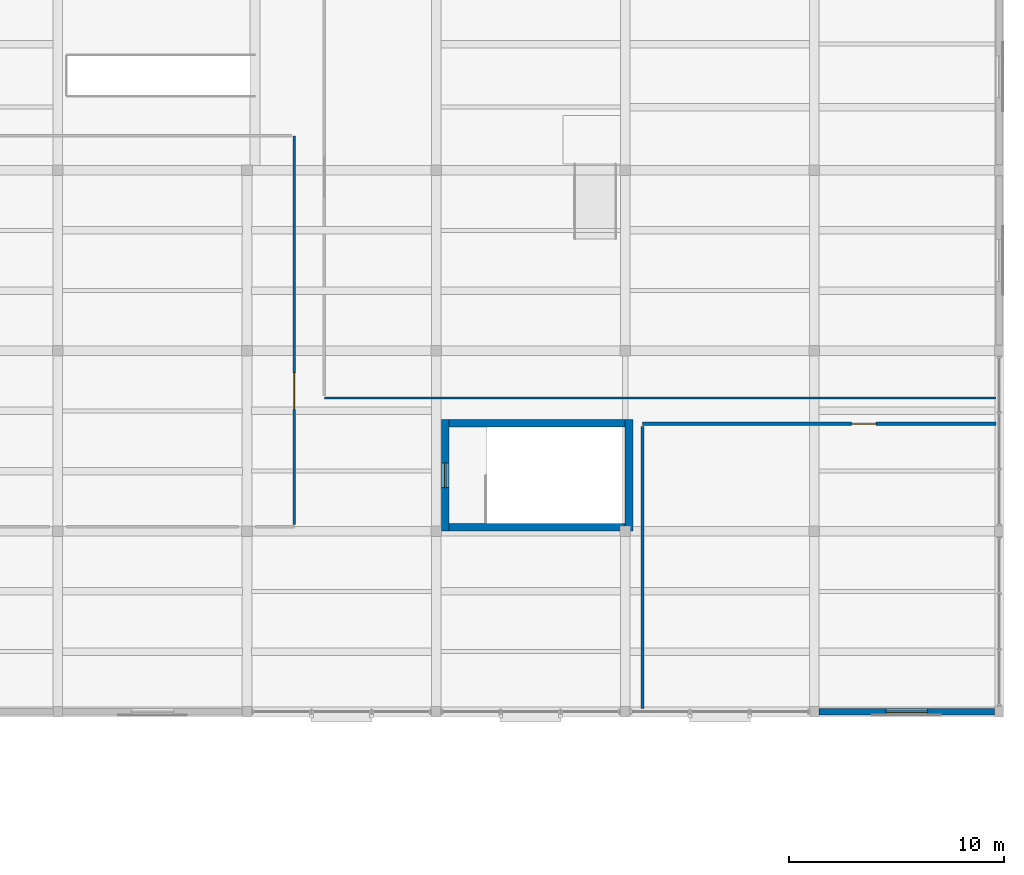
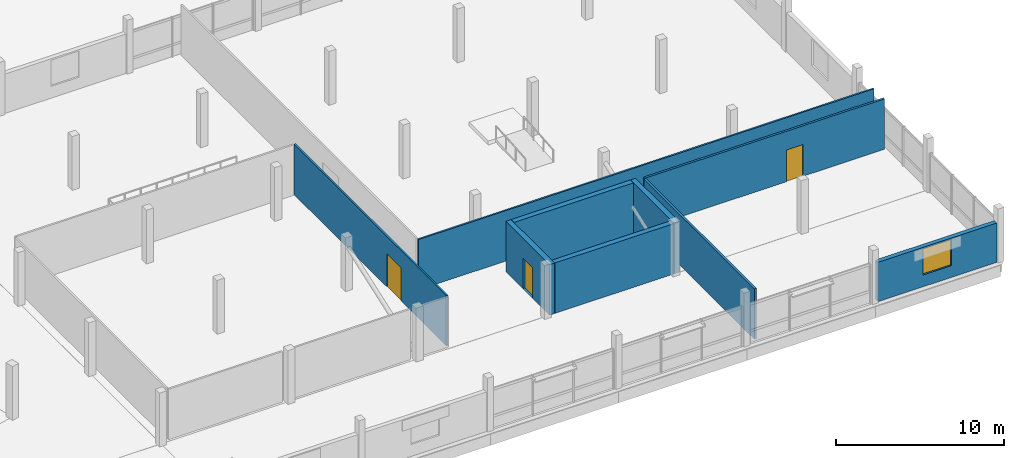
# One storey, part 53 of 62: 9 walls, 3 doors, 1 window, 4 openings.
"""IFC4 building model written with IfcOpenShell, lengths in metres."""

from ifc_helpers import new_model, si_unit, direction, frame, frame_2d, origin, place, context, subcontext, project, spatial, rectangle, extrude, material, layer, layer_set, type_object, element, fill, save


model = new_model("IFC4")

# Units and contexts
model_context = context("Model", 3, precision=1e-05, world=origin(), true_north=direction((0.0, 1.0)))
body_context = subcontext(model_context, "Body", "Model", "MODEL_VIEW")
ifc_project = project(units=[si_unit("LENGTHUNIT", "METRE"), si_unit("AREAUNIT", "SQUARE_METRE"), si_unit("VOLUMEUNIT", "CUBIC_METRE"), si_unit("PLANEANGLEUNIT", "RADIAN"), si_unit("MASSUNIT", "GRAM", prefix="KILO")], contexts=[model_context])

# Site, building, storey
site_placement = place(None, origin())
site = spatial("IfcSite", under=ifc_project, at=site_placement, CompositionType="ELEMENT")
building_placement = place(site_placement, origin())
building = spatial("IfcBuilding", under=site, at=building_placement, Name="Meriwether Solvik Hall", CompositionType="ELEMENT")
storey_placement = place(building_placement, frame((0.0, 0.0, 14.39990234375)))
storey = spatial("IfcBuildingStorey", under=building, at=storey_placement, Name="L03", CompositionType="ELEMENT", Elevation=14.39990234375)

# Wall, opening, window
ifc_material_1 = material(Name="Cross-Laminated Timber and Mineral-Wool Insulation", Category="wood")
ifc_layer_1 = layer(ifc_material_1, 0.2900390625)
ifc_layer_set_1 = layer_set([ifc_layer_1], Name="Cross-Laminated Timber and Mineral-Wool Insulation")
wall_type_1 = type_object("IfcWallType", Name="WALL-EXT-290", PredefinedType="SOLIDWALL", material=ifc_layer_set_1)
wall_1_placement = place(storey_placement, frame((166.577880859375, 50.0, 0.0), z_axis=(0.0, 0.0, 1.0), x_axis=(-1.0, 0.0, 0.0)))
wall_1 = element("IfcWall", 1, at=wall_1_placement, inside=storey, type_object=wall_type_1, Name="L03 S Wing Facade Wall XF_18_11", PredefinedType="SOLIDWALL", context=body_context, shape_type="SweptSolid", body=[
    extrude(rectangle(XDim=8.15576171875, YDim=0.2900390625, at=frame_2d((4.077880859375, 0.0))), origin(), (0.0, 0.0, 1.0), 2.85498046875),
])
opening_1_placement = place(wall_1_placement, frame((3.10302734375, 0.0, 0.85009765625)))
opening_1 = element("IfcOpeningElement", 2, at=opening_1_placement, cuts=wall_1, Name="Opening WN-158", PredefinedType="OPENING", context=body_context, shape_type="SweptSolid", body=[
    extrude(rectangle(XDim=1.949951171875, YDim=1.89990234375, at=frame_2d((0.97509765625, 0.949951171875))), frame((0.0, 0.156982421875, 0.0), z_axis=(0.0, -1.0, 0.0), x_axis=(1.0, 0.0, 0.0)), (0.0, 0.0, 1.0), 0.31396484375),
])
ifc_material_2 = material(Name="Thermally Broken Anodised Aluminium and Triple Low-E Glass", Category="aluminium")
window_type = type_object("IfcWindowType", Name="WIN-TW-LOW-195X190", PartitioningType="SINGLE_PANEL", PredefinedType="WINDOW", material=ifc_material_2)
window_placement = place(opening_1_placement, origin())
window = element("IfcWindow", 3, at=window_placement, inside=storey, type_object=window_type, Name="L03 S Window XF_18_11", OverallHeight=1.89990234375, OverallWidth=1.949951171875, PartitioningType="SINGLE_PANEL", PredefinedType="WINDOW", context=body_context, shape_type="SweptSolid", body=[
    extrude(rectangle(XDim=1.949951171875, YDim=1.89990234375, at=frame_2d((0.97509765625, 0.949951171875))), frame((0.0, 0.030029296875, 0.0), z_axis=(0.0, -1.0, 0.0), x_axis=(1.0, 0.0, 0.0)), (0.0, 0.0, 1.0), 0.06005859375),
])
fill(opening_1, window)

# Wall
ifc_material_3 = material(Name="Tempered Laminated Glass in Anodised Aluminium Frame", Category="aluminium")
ifc_layer_2 = layer(ifc_material_3, 0.112060546875)
ifc_layer_set_2 = layer_set([ifc_layer_2], Name="Tempered Laminated Glass in Anodised Aluminium Frame")
wall_type_2 = type_object("IfcWallType", Name="WALL-GLZ-112", PredefinedType="PARTITIONING", material=ifc_layer_set_2)
wall_2_placement = place(storey_placement, frame((135.39990234375, 64.60009765625, 0.0), z_axis=(0.0, 0.0, 1.0), x_axis=(1.0, 0.0, 0.0)))
element("IfcWall", 4, at=wall_2_placement, inside=storey, type_object=wall_type_2, Name="L03 Interior Partition lib_read_s", PredefinedType="PARTITIONING", context=body_context, shape_type="SweptSolid", body=[
    extrude(rectangle(XDim=31.25, YDim=0.112060546875, at=frame_2d((15.625, 0.0))), origin(), (0.0, 0.0, 1.0), 3.655029296875),
])

# Wall, opening, door
wall_3_placement = place(storey_placement, frame((134.0, 58.719970703125, 0.0), z_axis=(0.0, 0.0, 1.0), x_axis=(0.0, 1.0, 0.0)))
wall_3 = element("IfcWall", 5, at=wall_3_placement, inside=storey, type_object=wall_type_2, Name="L03 Interior Partition dig_com_3_e", PredefinedType="PARTITIONING", context=body_context, shape_type="SweptSolid", body=[
    extrude(rectangle(XDim=18.080078125, YDim=0.112060546875, at=frame_2d((9.0400390625, 0.0))), origin(), (0.0, 0.0, 1.0), 3.655029296875),
])
opening_2_placement = place(wall_3_placement, frame((5.35009765625, 0.0, 0.0)))
opening_2 = element("IfcOpeningElement", 6, at=opening_2_placement, cuts=wall_3, Name="Opening D-114", PredefinedType="OPENING", context=body_context, shape_type="SweptSolid", body=[
    extrude(rectangle(XDim=1.699951171875, YDim=2.39990234375, at=frame_2d((0.85009765625, 1.199951171875))), frame((0.0, 0.06787109375, 0.0), z_axis=(0.0, -1.0, 0.0), x_axis=(1.0, 0.0, 0.0)), (0.0, 0.0, 1.0), 0.135986328125),
])
ifc_material_4 = material(Name="Laminated Vision Glass and Solid White Oak Timber", Category="wood")
door_type_1 = type_object("IfcDoorType", Name="DR-GAL-1700", OperationType="DOUBLE_DOOR_SINGLE_SWING", PredefinedType="DOOR", material=ifc_material_4)
door_1_placement = place(opening_2_placement, origin())
door_1 = element("IfcDoor", 7, at=door_1_placement, inside=storey, type_object=door_type_1, Name="Digital Media Commons Door", OperationType="DOUBLE_DOOR_SINGLE_SWING", OverallHeight=2.39990234375, OverallWidth=1.699951171875, PredefinedType="DOOR", context=body_context, shape_type="SweptSolid", body=[
    extrude(rectangle(XDim=1.699951171875, YDim=2.39990234375, at=frame_2d((0.85009765625, 1.199951171875))), frame((0.0, 0.02490234375, 0.0), z_axis=(0.0, -1.0, 0.0), x_axis=(1.0, 0.0, 0.0)), (0.0, 0.0, 1.0), 0.050048828125),
])
fill(opening_2, door_1)

ifc_material_5 = material(Name="Gypsum Board Partition", Category="gypsum")
ifc_layer_3 = layer(ifc_material_5, 0.14990234375)
ifc_layer_set_3 = layer_set([ifc_layer_3], Name="Gypsum Board Partition")
wall_type_3 = type_object("IfcWallType", Name="WALL-PART-150", PredefinedType="PARTITIONING", material=ifc_layer_set_3)
wall_4_placement = place(storey_placement, frame((166.64990234375, 63.39990234375, 0.0), z_axis=(0.0, 0.0, 1.0), x_axis=(-1.0, 0.0, 0.0)))
wall_4 = element("IfcWall", 8, at=wall_4_placement, inside=storey, type_object=wall_type_3, Name="L03 Interior Partition lib_sem_3_n", PredefinedType="PARTITIONING", context=body_context, shape_type="SweptSolid", body=[
    extrude(rectangle(XDim=16.449951171875, YDim=0.14990234375, at=frame_2d((8.22509765625, 0.0))), origin(), (0.0, 0.0, 1.0), 3.655029296875),
])
opening_3_placement = place(wall_4_placement, frame((5.57470703125, 0.0, 0.0)))
opening_3 = element("IfcOpeningElement", 9, at=opening_3_placement, cuts=wall_4, Name="Opening D-149", PredefinedType="OPENING", context=body_context, shape_type="SweptSolid", body=[
    extrude(rectangle(XDim=1.14990234375, YDim=2.300048828125, at=frame_2d((0.574951171875, 1.14990234375))), frame((0.0, 0.0869140625, 0.0), z_axis=(0.0, -1.0, 0.0), x_axis=(1.0, 0.0, 0.0)), (0.0, 0.0, 1.0), 0.173828125),
])
ifc_material_6 = material(Name="Laminated Vision Glass and Solid White Oak Timber", Category="wood")
door_type_2 = type_object("IfcDoorType", Name="DR-SEM-1150L", OperationType="SINGLE_SWING_LEFT", PredefinedType="DOOR", material=ifc_material_6)
door_2_placement = place(opening_3_placement, origin())
door_2 = element("IfcDoor", 10, at=door_2_placement, inside=storey, type_object=door_type_2, Name="Library Rare Books Seminar Room Door", OperationType="SINGLE_SWING_LEFT", OverallHeight=2.300048828125, OverallWidth=1.14990234375, PredefinedType="DOOR", context=body_context, shape_type="SweptSolid", body=[
    extrude(rectangle(XDim=1.14990234375, YDim=2.300048828125, at=frame_2d((0.574951171875, 1.14990234375))), frame((0.0, 0.02490234375, 0.0), z_axis=(0.0, -1.0, 0.0), x_axis=(1.0, 0.0, 0.0)), (0.0, 0.0, 1.0), 0.050048828125),
])
fill(opening_3, door_2)

# Wall
wall_5_placement = place(storey_placement, frame((150.199951171875, 63.280029296875, 0.0), z_axis=(0.0, 0.0, 1.0), x_axis=(0.0, -1.0, 0.0)))
element("IfcWall", 11, at=wall_5_placement, inside=storey, type_object=wall_type_3, Name="L03 Interior Partition lib_sem_3_w", PredefinedType="PARTITIONING", context=body_context, shape_type="SweptSolid", body=[
    extrude(rectangle(XDim=13.130126953125, YDim=0.14990234375, at=frame_2d((6.56494140625, 0.0))), origin(), (0.0, 0.0, 1.0), 3.655029296875),
])

# Wall, opening, door
ifc_material_7 = material(Name="Concrete C40/50", Category="concrete")
ifc_layer_4 = layer(ifc_material_7, 0.35009765625)
ifc_layer_set_4 = layer_set([ifc_layer_4], Name="Concrete C40/50")
wall_type_4 = type_object("IfcWallType", Name="WALL-RC-350", PredefinedType="SHEAR", material=ifc_layer_set_4)
wall_6_placement = place(storey_placement, frame((141.02490234375, 63.60009765625, 0.0), z_axis=(0.0, 0.0, 1.0), x_axis=(0.0, -1.0, 0.0)))
wall_6 = element("IfcWall", 12, at=wall_6_placement, inside=storey, type_object=wall_type_4, Name="CORE-5 Shear Wall W (L03)", PredefinedType="SHEAR", context=body_context, shape_type="SweptSolid", body=[
    extrude(rectangle(XDim=5.2001953125, YDim=0.35009765625, at=frame_2d((2.60009765625, 0.0))), origin(), (0.0, 0.0, 1.0), 3.655029296875),
])
opening_4_placement = place(wall_6_placement, frame((2.02490234375, 0.0, 0.0)))
opening_4 = element("IfcOpeningElement", 13, at=opening_4_placement, cuts=wall_6, Name="Opening D-148", PredefinedType="OPENING", context=body_context, shape_type="SweptSolid", body=[
    extrude(rectangle(XDim=1.14990234375, YDim=2.199951171875, at=frame_2d((0.574951171875, 1.10009765625))), frame((0.0, 0.18701171875, 0.0), z_axis=(0.0, -1.0, 0.0), x_axis=(1.0, 0.0, 0.0)), (0.0, 0.0, 1.0), 0.3740234375),
])
ifc_material_8 = material(Name="Steel A36 Galvanised", Category="steel")
door_type_3 = type_object("IfcDoorType", Name="DR-FD90-1150R", OperationType="SINGLE_SWING_RIGHT", PredefinedType="DOOR", material=ifc_material_8)
door_3_placement = place(opening_4_placement, origin())
door_3 = element("IfcDoor", 14, at=door_3_placement, inside=storey, type_object=door_type_3, Name="Stair ST-05 Smokeproof Exit Door (L03)", OperationType="SINGLE_SWING_RIGHT", OverallHeight=2.199951171875, OverallWidth=1.14990234375, PredefinedType="DOOR", context=body_context, shape_type="SweptSolid", body=[
    extrude(rectangle(XDim=1.14990234375, YDim=2.199951171875, at=frame_2d((0.574951171875, 1.10009765625))), frame((0.0, 0.02490234375, 0.0), z_axis=(0.0, -1.0, 0.0), x_axis=(1.0, 0.0, 0.0)), (0.0, 0.0, 1.0), 0.050048828125),
])
fill(opening_4, door_3)

# Walls
wall_7_placement = place(storey_placement, frame((149.574951171875, 58.39990234375, 0.0), z_axis=(0.0, 0.0, 1.0), x_axis=(0.0, 1.0, 0.0)))
element("IfcWall", 15, at=wall_7_placement, inside=storey, type_object=wall_type_4, Name="CORE-5 Shear Wall E (L03)", PredefinedType="SHEAR", context=body_context, shape_type="SweptSolid", body=[
    extrude(rectangle(XDim=5.2001953125, YDim=0.35009765625, at=frame_2d((2.60009765625, 0.0))), origin(), (0.0, 0.0, 1.0), 3.655029296875),
])
for number, where, z_axis, x_axis, name in (
    (16, (141.2099609375, 58.574951171875, 0.0), (0.0, 0.0, 1.0), (1.0, 0.0, 0.0), "CORE-5 Shear Wall S (L03)"),
    (17, (149.389892578125, 63.425048828125, 0.0), (0.0, 0.0, 1.0), (-1.0, 0.0, 0.0), "CORE-5 Shear Wall N (L03)"),
):
    element("IfcWall", number, at=place(storey_placement, frame(where, z_axis=z_axis, x_axis=x_axis)), inside=storey, type_object=wall_type_4, Name=name, PredefinedType="SHEAR", context=body_context, shape_type="SweptSolid", body=[
        extrude(rectangle(XDim=8.179931640625, YDim=0.35009765625, at=frame_2d((4.08984375, 0.0))), origin(), (0.0, 0.0, 1.0), 3.655029296875),
    ])

save(model, "model.ifc")
